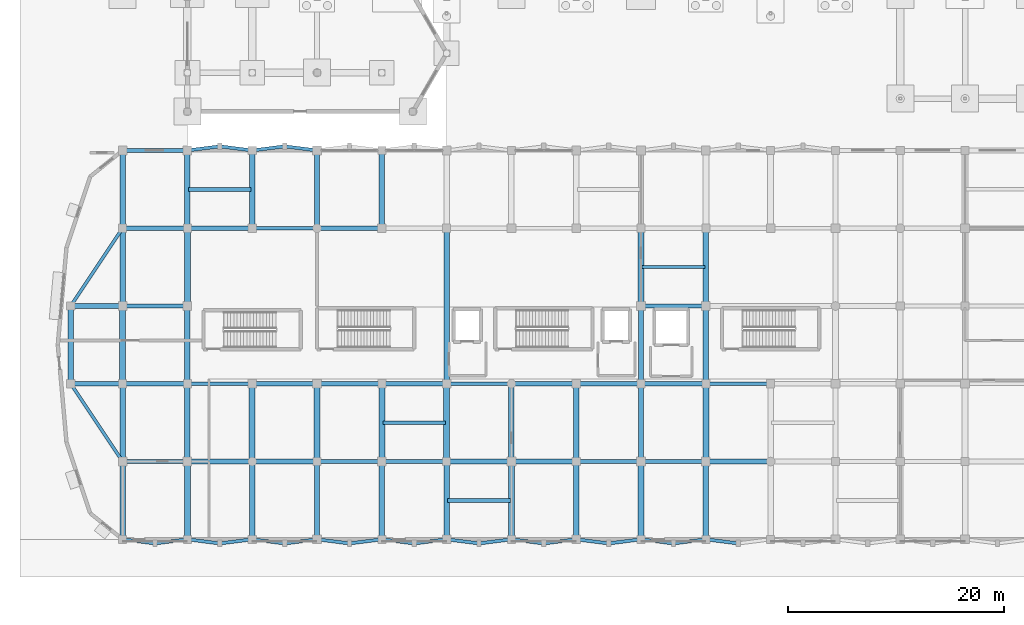
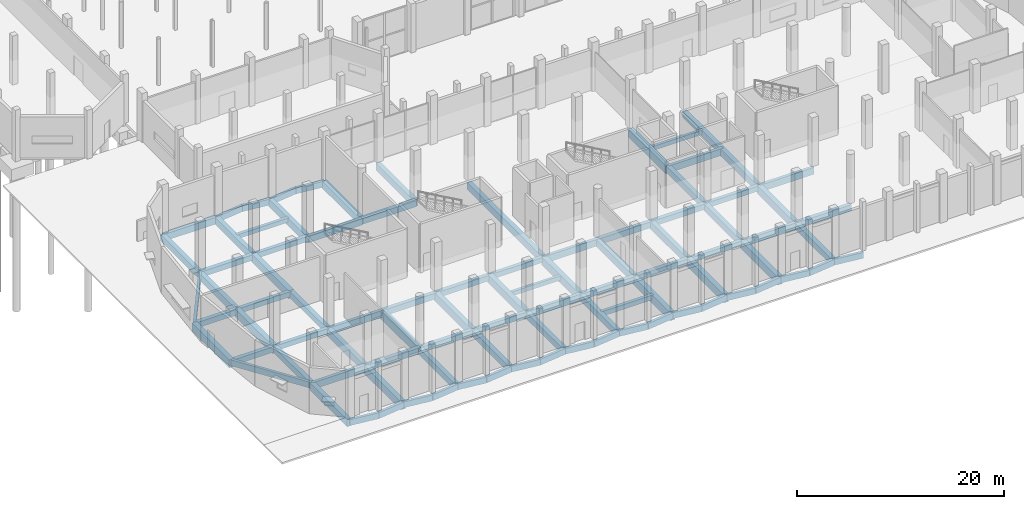
# One storey, part 36 of 103: 93 beams.
"""IFC4 building model written with IfcOpenShell, lengths in metres."""

from ifc_helpers import new_model, si_unit, direction, frame, origin, origin_2d, place, context, subcontext, project, spatial, rectangle, extrude, material, material_profile, profile_set, type_object, element, save


model = new_model("IFC4")

# Units and contexts
model_context = context("Model", 3, precision=1e-05, world=origin(), true_north=direction((0.0, 1.0)))
body_context = subcontext(model_context, "Body", "Model", "MODEL_VIEW")
ifc_project = project(units=[si_unit("LENGTHUNIT", "METRE"), si_unit("AREAUNIT", "SQUARE_METRE"), si_unit("VOLUMEUNIT", "CUBIC_METRE"), si_unit("PLANEANGLEUNIT", "RADIAN"), si_unit("MASSUNIT", "GRAM", prefix="KILO")], contexts=[model_context])

# Site, building, storey
site_placement = place(None, origin())
site = spatial("IfcSite", under=ifc_project, at=site_placement, CompositionType="ELEMENT")
building_placement = place(site_placement, origin())
building = spatial("IfcBuilding", under=site, at=building_placement, Name="Dunvalen Ferry Terminal", CompositionType="ELEMENT")
storey_placement = place(building_placement, origin())
storey = spatial("IfcBuildingStorey", under=building, at=storey_placement, Name="L00", CompositionType="ELEMENT", Elevation=0.0)

# Beams
ifc_material_1 = material(Name="Concrete C35/45", Category="concrete")
ifc_material_profile_1 = material_profile(ifc_material_1, rectangle(XDim=0.300048828125, YDim=0.5, at=origin_2d()), Name="Concrete C35/45")
ifc_profile_set_1 = profile_set([ifc_material_profile_1], Name="Concrete C35/45")
beam_type_1 = type_object("IfcBeamType", Name="STR-BM-RCB500", PredefinedType="JOIST", material=ifc_profile_set_1)
for number, where, z_axis, x_axis, name in (
    (1, (30.10009765625, 10.800048828125, -0.550048828125), (1.0, 0.0, 0.0), (0.0, 1.0, 0.0), "L00 V5P0 Secondary Joist 002"),
    (2, (54.10009765625, 25.199951171875, -0.550048828125), (1.0, 0.0, 0.0), (0.0, 1.0, 0.0), "L00 V5P0 Secondary Joist 005"),
):
    element("IfcBeam", number, at=place(storey_placement, frame(where, z_axis=z_axis, x_axis=x_axis)), inside=storey, type_object=beam_type_1, Name=name, PredefinedType="JOIST", context=body_context, shape_type="SweptSolid", body=[
        extrude(rectangle(XDim=0.300048828125, YDim=0.5, at=origin_2d()), origin(), (0.0, 0.0, 1.0), 5.7998046875),
    ])
ifc_material_profile_2 = material_profile(ifc_material_1, rectangle(XDim=0.35009765625, YDim=0.5, at=origin_2d()), Name="Concrete C35/45")
ifc_profile_set_2 = profile_set([ifc_material_profile_2], Name="Concrete C35/45")
beam_type_2 = type_object("IfcBeamType", Name="STR-BM-RCB500W", PredefinedType="JOIST", material=ifc_profile_set_2)
beam_1_placement = place(storey_placement, frame((12.10009765625, 32.39990234375, -0.550048828125), z_axis=(1.0, 0.0, 0.0), x_axis=(0.0, 1.0, 0.0)))
element("IfcBeam", 3, at=beam_1_placement, inside=storey, type_object=beam_type_2, Name="L00 V5P0 Secondary Joist 001", PredefinedType="JOIST", context=body_context, shape_type="SweptSolid", body=[
    extrude(rectangle(XDim=0.35009765625, YDim=0.5, at=origin_2d()), origin(), (0.0, 0.0, 1.0), 5.7998046875),
])
ifc_material_profile_3 = material_profile(ifc_material_1, rectangle(XDim=0.35009765625, YDim=0.550048828125, at=origin_2d()), Name="Concrete C35/45")
ifc_profile_set_3 = profile_set([ifc_material_profile_3], Name="Concrete C35/45")
beam_type_3 = type_object("IfcBeamType", Name="STR-BM-RCB550", PredefinedType="JOIST", material=ifc_profile_set_3)
beam_2_placement = place(storey_placement, frame((36.10009765625, 3.60009765625, -0.574951171875), z_axis=(1.0, 0.0, 0.0), x_axis=(0.0, 1.0, 0.0)))
element("IfcBeam", 4, at=beam_2_placement, inside=storey, type_object=beam_type_3, Name="L00 V5P0 Secondary Joist 003", PredefinedType="JOIST", context=body_context, shape_type="SweptSolid", body=[
    extrude(rectangle(XDim=0.35009765625, YDim=0.550048828125, at=origin_2d()), origin(), (0.0, 0.0, 1.0), 5.7998046875),
])
ifc_material_profile_4 = material_profile(ifc_material_1, rectangle(XDim=0.39990234375, YDim=0.60009765625, at=origin_2d()), Name="Concrete C35/45")
ifc_profile_set_4 = profile_set([ifc_material_profile_4], Name="Concrete C35/45")
beam_type_4 = type_object("IfcBeamType", Name="STR-BM-RCB600", PredefinedType="BEAM", material=ifc_profile_set_4)
for number, where, z_axis, x_axis, name in (
    (5, (24.0, 7.199951171875, -0.60009765625), (1.0, 0.0, 0.0), (0.0, 1.0, 0.0), "L00 V5P0 Primary Beam X-018"),
    (6, (48.0, 7.199951171875, -0.60009765625), (1.0, 0.0, 0.0), (0.0, 1.0, 0.0), "L00 V5P0 Primary Beam X-022"),
    (7, (6.0, 14.39990234375, -0.60009765625), (1.0, 0.0, 0.0), (0.0, 1.0, 0.0), "L00 V5P0 Primary Beam X-030"),
    (8, (30.0, 14.39990234375, -0.60009765625), (1.0, 0.0, 0.0), (0.0, 1.0, 0.0), "L00 V5P0 Primary Beam X-034"),
    (9, (54.0, 14.39990234375, -0.60009765625), (1.0, 0.0, 0.0), (0.0, 1.0, 0.0), "L00 V5P0 Primary Beam X-038"),
    (10, (6.0, 21.60009765625, -0.60009765625), (1.0, 0.0, 0.0), (0.0, 1.0, 0.0), "L00 V5P0 Primary Beam X-046"),
    (11, (12.0, 28.800048828125, -0.60009765625), (1.0, 0.0, 0.0), (0.0, 1.0, 0.0), "L00 V5P0 Primary Beam X-054"),
):
    element("IfcBeam", number, at=place(storey_placement, frame(where, z_axis=z_axis, x_axis=x_axis)), inside=storey, type_object=beam_type_4, Name=name, PredefinedType="BEAM", context=body_context, shape_type="SweptSolid", body=[
        extrude(rectangle(XDim=0.39990234375, YDim=0.60009765625, at=origin_2d()), origin(), (0.0, 0.0, 1.0), 6.0),
    ])
ifc_material_2 = material(Name="Concrete C40/50", Category="concrete")
ifc_material_profile_5 = material_profile(ifc_material_2, rectangle(XDim=0.449951171875, YDim=0.64990234375, at=origin_2d()), Name="Concrete C40/50")
ifc_profile_set_5 = profile_set([ifc_material_profile_5], Name="Concrete C40/50")
beam_type_5 = type_object("IfcBeamType", Name="STR-BM-RCB650W", PredefinedType="BEAM", material=ifc_profile_set_5)
for number, where, z_axis, x_axis, name in (
    (12, (18.0, 7.199951171875, -0.625), (1.0, 0.0, 0.0), (0.0, 1.0, 0.0), "L00 V5P0 Primary Beam X-017"),
    (13, (42.0, 7.199951171875, -0.625), (1.0, 0.0, 0.0), (0.0, 1.0, 0.0), "L00 V5P0 Primary Beam X-021"),
):
    element("IfcBeam", number, at=place(storey_placement, frame(where, z_axis=z_axis, x_axis=x_axis)), inside=storey, type_object=beam_type_5, Name=name, PredefinedType="BEAM", context=body_context, shape_type="SweptSolid", body=[
        extrude(rectangle(XDim=0.449951171875, YDim=0.64990234375, at=origin_2d()), origin(), (0.0, 0.0, 1.0), 6.0),
    ])
beam_3_placement = place(storey_placement, frame((1.199951171875, 14.39990234375, -0.625), z_axis=(1.0, 0.0, 0.0), x_axis=(0.0, 1.0, 0.0)))
element("IfcBeam", 14, at=beam_3_placement, inside=storey, type_object=beam_type_5, Name="L00 V5P0 Primary Beam X-029", PredefinedType="BEAM", context=body_context, shape_type="SweptSolid", body=[
    extrude(rectangle(XDim=0.449951171875, YDim=0.64990234375, at=origin_2d()), origin(), (0.0, 0.0, 1.0), 4.800048828125),
])
for number, where, z_axis, x_axis, name in (
    (15, (24.0, 14.39990234375, -0.625), (1.0, 0.0, 0.0), (0.0, 1.0, 0.0), "L00 V5P0 Primary Beam X-033"),
    (16, (48.0, 14.39990234375, -0.625), (1.0, 0.0, 0.0), (0.0, 1.0, 0.0), "L00 V5P0 Primary Beam X-037"),
):
    element("IfcBeam", number, at=place(storey_placement, frame(where, z_axis=z_axis, x_axis=x_axis)), inside=storey, type_object=beam_type_5, Name=name, PredefinedType="BEAM", context=body_context, shape_type="SweptSolid", body=[
        extrude(rectangle(XDim=0.449951171875, YDim=0.64990234375, at=origin_2d()), origin(), (0.0, 0.0, 1.0), 6.0),
    ])
beam_4_placement = place(storey_placement, frame((1.199951171875, 21.60009765625, -0.625), z_axis=(1.0, 0.0, 0.0), x_axis=(0.0, 1.0, 0.0)))
element("IfcBeam", 17, at=beam_4_placement, inside=storey, type_object=beam_type_5, Name="L00 V5P0 Primary Beam X-045", PredefinedType="BEAM", context=body_context, shape_type="SweptSolid", body=[
    extrude(rectangle(XDim=0.449951171875, YDim=0.64990234375, at=origin_2d()), origin(), (0.0, 0.0, 1.0), 4.800048828125),
])
beam_5_placement = place(storey_placement, frame((6.0, 28.800048828125, -0.625), z_axis=(1.0, 0.0, 0.0), x_axis=(0.0, 1.0, 0.0)))
element("IfcBeam", 18, at=beam_5_placement, inside=storey, type_object=beam_type_5, Name="L00 V5P0 Primary Beam X-053", PredefinedType="BEAM", context=body_context, shape_type="SweptSolid", body=[
    extrude(rectangle(XDim=0.449951171875, YDim=0.64990234375, at=origin_2d()), origin(), (0.0, 0.0, 1.0), 6.0),
])
ifc_material_profile_6 = material_profile(ifc_material_2, rectangle(XDim=0.449951171875, YDim=0.699951171875, at=origin_2d()), Name="Concrete C40/50")
ifc_profile_set_6 = profile_set([ifc_material_profile_6], Name="Concrete C40/50")
beam_type_6 = type_object("IfcBeamType", Name="STR-BM-RCB700", PredefinedType="BEAM", material=ifc_profile_set_6)
for number, where, z_axis, x_axis, name in (
    (19, (12.0, 7.199951171875, -0.64990234375), (1.0, 0.0, 0.0), (0.0, 1.0, 0.0), "L00 V5P0 Primary Beam X-016"),
    (20, (36.0, 7.199951171875, -0.64990234375), (1.0, 0.0, 0.0), (0.0, 1.0, 0.0), "L00 V5P0 Primary Beam X-020"),
    (21, (60.0, 7.199951171875, -0.64990234375), (1.0, 0.0, 0.0), (0.0, 1.0, 0.0), "L00 V5P0 Primary Beam X-024"),
    (22, (18.0, 14.39990234375, -0.64990234375), (1.0, 0.0, 0.0), (0.0, 1.0, 0.0), "L00 V5P0 Primary Beam X-032"),
    (23, (42.0, 14.39990234375, -0.64990234375), (1.0, 0.0, 0.0), (0.0, 1.0, 0.0), "L00 V5P0 Primary Beam X-036"),
    (24, (24.0, 28.800048828125, -0.64990234375), (1.0, 0.0, 0.0), (0.0, 1.0, 0.0), "L00 V5P0 Primary Beam X-056"),
):
    element("IfcBeam", number, at=place(storey_placement, frame(where, z_axis=z_axis, x_axis=x_axis)), inside=storey, type_object=beam_type_6, Name=name, PredefinedType="BEAM", context=body_context, shape_type="SweptSolid", body=[
        extrude(rectangle(XDim=0.449951171875, YDim=0.699951171875, at=origin_2d()), origin(), (0.0, 0.0, 1.0), 6.0),
    ])
ifc_material_profile_7 = material_profile(ifc_material_2, rectangle(XDim=0.5, YDim=0.75, at=origin_2d()), Name="Concrete C40/50")
ifc_profile_set_7 = profile_set([ifc_material_profile_7], Name="Concrete C40/50")
beam_type_7 = type_object("IfcBeamType", Name="STR-BM-RCB750", PredefinedType="BEAM", material=ifc_profile_set_7)
for number, where, z_axis, x_axis, name in (
    (25, (6.0, 7.199951171875, -0.675048828125), (0.0, 1.0, 0.0), (-1.0, 0.0, 0.0), "L00 V5P0 Primary Girder Y-083"),
    (26, (6.0, 28.800048828125, -0.675048828125), (0.0, 1.0, 0.0), (-1.0, 0.0, 0.0), "L00 V5P0 Primary Girder Y-086"),
):
    element("IfcBeam", number, at=place(storey_placement, frame(where, z_axis=z_axis, x_axis=x_axis)), inside=storey, type_object=beam_type_7, Name=name, PredefinedType="BEAM", context=body_context, shape_type="SweptSolid", body=[
        extrude(rectangle(XDim=0.5, YDim=0.75, at=origin_2d()), origin(), (0.0, 0.0, 1.0), 7.199951171875),
    ])
beam_6_placement = place(storey_placement, frame((12.0, 14.39990234375, -0.675048828125), z_axis=(0.0, 1.0, 0.0), x_axis=(-1.0, 0.0, 0.0)))
element("IfcBeam", 27, at=beam_6_placement, inside=storey, type_object=beam_type_7, Name="L00 V5P0 Primary Girder Y-089", PredefinedType="BEAM", context=body_context, shape_type="SweptSolid", body=[
    extrude(rectangle(XDim=0.5, YDim=0.75, at=origin_2d()), origin(), (0.0, 0.0, 1.0), 7.2001953125),
])
for number, where, z_axis, x_axis, name in (
    (28, (18.0, 0.0, -0.675048828125), (0.0, 1.0, 0.0), (-1.0, 0.0, 0.0), "L00 V5P0 Primary Girder Y-092"),
    (29, (24.0, 0.0, -0.675048828125), (0.0, 1.0, 0.0), (-1.0, 0.0, 0.0), "L00 V5P0 Primary Girder Y-095"),
    (30, (30.0, 0.0, -0.675048828125), (0.0, 1.0, 0.0), (-1.0, 0.0, 0.0), "L00 V5P0 Primary Girder Y-098"),
    (31, (36.0, 0.0, -0.675048828125), (0.0, 1.0, 0.0), (-1.0, 0.0, 0.0), "L00 V5P0 Primary Girder Y-101"),
):
    element("IfcBeam", number, at=place(storey_placement, frame(where, z_axis=z_axis, x_axis=x_axis)), inside=storey, type_object=beam_type_7, Name=name, PredefinedType="BEAM", context=body_context, shape_type="SweptSolid", body=[
        extrude(rectangle(XDim=0.5, YDim=0.75, at=origin_2d()), origin(), (0.0, 0.0, 1.0), 7.199951171875),
    ])
beam_7_placement = place(storey_placement, frame((54.0, 14.39990234375, -0.675048828125), z_axis=(0.0, 1.0, 0.0), x_axis=(-1.0, 0.0, 0.0)))
element("IfcBeam", 32, at=beam_7_placement, inside=storey, type_object=beam_type_7, Name="L00 V5P0 Primary Girder Y-113", PredefinedType="BEAM", context=body_context, shape_type="SweptSolid", body=[
    extrude(rectangle(XDim=0.5, YDim=0.75, at=origin_2d()), origin(), (0.0, 0.0, 1.0), 7.2001953125),
])
for number, where, z_axis, x_axis, name in (
    (33, (60.0, 0.0, -0.675048828125), (0.0, 1.0, 0.0), (-1.0, 0.0, 0.0), "L00 V5P0 Primary Girder Y-116"),
    (34, (60.0, 21.60009765625, -0.675048828125), (0.0, 1.0, 0.0), (-1.0, 0.0, 0.0), "L00 V5P0 Primary Girder Y-119"),
):
    element("IfcBeam", number, at=place(storey_placement, frame(where, z_axis=z_axis, x_axis=x_axis)), inside=storey, type_object=beam_type_7, Name=name, PredefinedType="BEAM", context=body_context, shape_type="SweptSolid", body=[
        extrude(rectangle(XDim=0.5, YDim=0.75, at=origin_2d()), origin(), (0.0, 0.0, 1.0), 7.199951171875),
    ])
ifc_material_profile_8 = material_profile(ifc_material_2, rectangle(XDim=0.5, YDim=0.85009765625, at=origin_2d()), Name="Concrete C40/50")
ifc_profile_set_8 = profile_set([ifc_material_profile_8], Name="Concrete C40/50")
beam_type_8 = type_object("IfcBeamType", Name="STR-BM-RCG850", PredefinedType="BEAM", material=ifc_profile_set_8)
for number, where, z_axis, x_axis, name in (
    (35, (6.0, 0.0, -0.72509765625), (0.0, 1.0, 0.0), (-1.0, 0.0, 0.0), "L00 V5P0 Primary Girder Y-082"),
    (36, (6.0, 21.60009765625, -0.72509765625), (0.0, 1.0, 0.0), (-1.0, 0.0, 0.0), "L00 V5P0 Primary Girder Y-085"),
    (37, (12.0, 7.199951171875, -0.72509765625), (0.0, 1.0, 0.0), (-1.0, 0.0, 0.0), "L00 V5P0 Primary Girder Y-088"),
    (38, (12.0, 28.800048828125, -0.72509765625), (0.0, 1.0, 0.0), (-1.0, 0.0, 0.0), "L00 V5P0 Primary Girder Y-091"),
    (39, (18.0, 28.800048828125, -0.72509765625), (0.0, 1.0, 0.0), (-1.0, 0.0, 0.0), "L00 V5P0 Primary Girder Y-094"),
    (40, (24.0, 28.800048828125, -0.72509765625), (0.0, 1.0, 0.0), (-1.0, 0.0, 0.0), "L00 V5P0 Primary Girder Y-097"),
    (41, (30.0, 28.800048828125, -0.72509765625), (0.0, 1.0, 0.0), (-1.0, 0.0, 0.0), "L00 V5P0 Primary Girder Y-100"),
):
    element("IfcBeam", number, at=place(storey_placement, frame(where, z_axis=z_axis, x_axis=x_axis)), inside=storey, type_object=beam_type_8, Name=name, PredefinedType="BEAM", context=body_context, shape_type="SweptSolid", body=[
        extrude(rectangle(XDim=0.5, YDim=0.85009765625, at=origin_2d()), origin(), (0.0, 0.0, 1.0), 7.199951171875),
    ])
beam_8_placement = place(storey_placement, frame((36.0, 14.39990234375, -0.72509765625), z_axis=(0.0, 1.0, 0.0), x_axis=(-1.0, 0.0, 0.0)))
element("IfcBeam", 42, at=beam_8_placement, inside=storey, type_object=beam_type_8, Name="L00 V5P0 Primary Girder Y-103", PredefinedType="BEAM", context=body_context, shape_type="SweptSolid", body=[
    extrude(rectangle(XDim=0.5, YDim=0.85009765625, at=origin_2d()), origin(), (0.0, 0.0, 1.0), 14.400146484375),
])
for number, where, z_axis, x_axis, name in (
    (43, (42.0, 7.199951171875, -0.72509765625), (0.0, 1.0, 0.0), (-1.0, 0.0, 0.0), "L00 V5P0 Primary Girder Y-106"),
    (44, (48.0, 7.199951171875, -0.72509765625), (0.0, 1.0, 0.0), (-1.0, 0.0, 0.0), "L00 V5P0 Primary Girder Y-109"),
    (45, (54.0, 7.199951171875, -0.72509765625), (0.0, 1.0, 0.0), (-1.0, 0.0, 0.0), "L00 V5P0 Primary Girder Y-112"),
):
    element("IfcBeam", number, at=place(storey_placement, frame(where, z_axis=z_axis, x_axis=x_axis)), inside=storey, type_object=beam_type_8, Name=name, PredefinedType="BEAM", context=body_context, shape_type="SweptSolid", body=[
        extrude(rectangle(XDim=0.5, YDim=0.85009765625, at=origin_2d()), origin(), (0.0, 0.0, 1.0), 7.199951171875),
    ])
beam_9_placement = place(storey_placement, frame((60.0, 14.39990234375, -0.72509765625), z_axis=(0.0, 1.0, 0.0), x_axis=(-1.0, 0.0, 0.0)))
element("IfcBeam", 46, at=beam_9_placement, inside=storey, type_object=beam_type_8, Name="L00 V5P0 Primary Girder Y-118", PredefinedType="BEAM", context=body_context, shape_type="SweptSolid", body=[
    extrude(rectangle(XDim=0.5, YDim=0.85009765625, at=origin_2d()), origin(), (0.0, 0.0, 1.0), 7.2001953125),
])
ifc_material_profile_9 = material_profile(ifc_material_2, rectangle(XDim=0.550048828125, YDim=0.949951171875, at=origin_2d()), Name="Concrete C40/50")
ifc_profile_set_9 = profile_set([ifc_material_profile_9], Name="Concrete C40/50")
beam_type_9 = type_object("IfcBeamType", Name="STR-BM-RCG950", PredefinedType="BEAM", material=ifc_profile_set_9)
for number, where, z_axis, x_axis, name in (
    (47, (1.199951171875, 14.39990234375, -0.77490234375), (0.0, 1.0, 0.0), (-1.0, 0.0, 0.0), "L00 V5P0 Primary Girder Y-081"),
    (48, (6.0, 14.39990234375, -0.77490234375), (0.0, 1.0, 0.0), (-1.0, 0.0, 0.0), "L00 V5P0 Primary Girder Y-084"),
):
    element("IfcBeam", number, at=place(storey_placement, frame(where, z_axis=z_axis, x_axis=x_axis)), inside=storey, type_object=beam_type_9, Name=name, PredefinedType="BEAM", context=body_context, shape_type="SweptSolid", body=[
        extrude(rectangle(XDim=0.550048828125, YDim=0.949951171875, at=origin_2d()), origin(), (0.0, 0.0, 1.0), 7.2001953125),
    ])
for number, where, z_axis, x_axis, name in (
    (49, (12.0, 0.0, -0.77490234375), (0.0, 1.0, 0.0), (-1.0, 0.0, 0.0), "L00 V5P0 Primary Girder Y-087"),
    (50, (12.0, 21.60009765625, -0.77490234375), (0.0, 1.0, 0.0), (-1.0, 0.0, 0.0), "L00 V5P0 Primary Girder Y-090"),
    (51, (18.0, 7.199951171875, -0.77490234375), (0.0, 1.0, 0.0), (-1.0, 0.0, 0.0), "L00 V5P0 Primary Girder Y-093"),
    (52, (24.0, 7.199951171875, -0.77490234375), (0.0, 1.0, 0.0), (-1.0, 0.0, 0.0), "L00 V5P0 Primary Girder Y-096"),
    (53, (30.0, 7.199951171875, -0.77490234375), (0.0, 1.0, 0.0), (-1.0, 0.0, 0.0), "L00 V5P0 Primary Girder Y-099"),
    (54, (36.0, 7.199951171875, -0.77490234375), (0.0, 1.0, 0.0), (-1.0, 0.0, 0.0), "L00 V5P0 Primary Girder Y-102"),
    (55, (42.0, 0.0, -0.77490234375), (0.0, 1.0, 0.0), (-1.0, 0.0, 0.0), "L00 V5P0 Primary Girder Y-105"),
    (56, (48.0, 0.0, -0.77490234375), (0.0, 1.0, 0.0), (-1.0, 0.0, 0.0), "L00 V5P0 Primary Girder Y-108"),
    (57, (54.0, 0.0, -0.77490234375), (0.0, 1.0, 0.0), (-1.0, 0.0, 0.0), "L00 V5P0 Primary Girder Y-111"),
    (58, (54.0, 21.60009765625, -0.77490234375), (0.0, 1.0, 0.0), (-1.0, 0.0, 0.0), "L00 V5P0 Primary Girder Y-114"),
    (59, (60.0, 7.199951171875, -0.77490234375), (0.0, 1.0, 0.0), (-1.0, 0.0, 0.0), "L00 V5P0 Primary Girder Y-117"),
):
    element("IfcBeam", number, at=place(storey_placement, frame(where, z_axis=z_axis, x_axis=x_axis)), inside=storey, type_object=beam_type_9, Name=name, PredefinedType="BEAM", context=body_context, shape_type="SweptSolid", body=[
        extrude(rectangle(XDim=0.550048828125, YDim=0.949951171875, at=origin_2d()), origin(), (0.0, 0.0, 1.0), 7.199951171875),
    ])
ifc_material_profile_10 = material_profile(ifc_material_2, rectangle(XDim=0.300048828125, YDim=0.699951171875, at=origin_2d()), Name="Concrete C40/50")
ifc_profile_set_10 = profile_set([ifc_material_profile_10], Name="Concrete C40/50")
beam_type_10 = type_object("IfcBeamType", Name="STR-BM-RCSP700", PredefinedType="SPANDREL", material=ifc_profile_set_10)
for number, where, z_axis, x_axis, name in (
    (60, (6.0, 0.0, -0.64990234375), (0.992077869489, -0.12562444376, 0.0), (0.12562444376, 0.992077869489, 0.0), "L00 Forecourt Pilaster Spandrel Tie 01.1"),
    (61, (9.0, -0.3798828125, -0.64990234375), (0.992077869489, 0.12562444376, 0.0), (-0.12562444376, 0.992077869489, 0.0), "L00 Forecourt Pilaster Spandrel Tie 01.2"),
    (62, (12.0, 0.0, -0.64990234375), (0.992077869489, -0.12562444376, 0.0), (0.12562444376, 0.992077869489, 0.0), "L00 Forecourt Pilaster Spandrel Tie 02.1"),
    (63, (15.0, -0.3798828125, -0.64990234375), (0.992077869489, 0.12562444376, 0.0), (-0.12562444376, 0.992077869489, 0.0), "L00 Forecourt Pilaster Spandrel Tie 02.2"),
    (64, (18.0, 0.0, -0.64990234375), (0.992077869489, -0.12562444376, 0.0), (0.12562444376, 0.992077869489, 0.0), "L00 Forecourt Pilaster Spandrel Tie 03.1"),
    (65, (21.0, -0.3798828125, -0.64990234375), (0.992077869489, 0.12562444376, 0.0), (-0.12562444376, 0.992077869489, 0.0), "L00 Forecourt Pilaster Spandrel Tie 03.2"),
    (66, (24.0, 0.0, -0.64990234375), (0.992077869489, -0.12562444376, 0.0), (0.12562444376, 0.992077869489, 0.0), "L00 Forecourt Pilaster Spandrel Tie 04.1"),
    (67, (27.0, -0.3798828125, -0.64990234375), (0.992077869489, 0.12562444376, 0.0), (-0.12562444376, 0.992077869489, 0.0), "L00 Forecourt Pilaster Spandrel Tie 04.2"),
    (68, (30.0, 0.0, -0.64990234375), (0.992077869489, -0.12562444376, 0.0), (0.12562444376, 0.992077869489, 0.0), "L00 Forecourt Pilaster Spandrel Tie 05.1"),
    (69, (33.0, -0.3798828125, -0.64990234375), (0.992077869489, 0.12562444376, 0.0), (-0.12562444376, 0.992077869489, 0.0), "L00 Forecourt Pilaster Spandrel Tie 05.2"),
    (70, (36.0, 0.0, -0.64990234375), (0.992077869489, -0.12562444376, 0.0), (0.12562444376, 0.992077869489, 0.0), "L00 Forecourt Pilaster Spandrel Tie 06.1"),
    (71, (39.0, -0.3798828125, -0.64990234375), (0.992077869489, 0.12562444376, 0.0), (-0.12562444376, 0.992077869489, 0.0), "L00 Forecourt Pilaster Spandrel Tie 06.2"),
    (72, (42.0, 0.0, -0.64990234375), (0.992077869489, -0.12562444376, 0.0), (0.12562444376, 0.992077869489, 0.0), "L00 Forecourt Pilaster Spandrel Tie 07.1"),
    (73, (45.0, -0.3798828125, -0.64990234375), (0.992077869489, 0.12562444376, 0.0), (-0.12562444376, 0.992077869489, 0.0), "L00 Forecourt Pilaster Spandrel Tie 07.2"),
    (74, (48.0, 0.0, -0.64990234375), (0.992077869489, -0.12562444376, 0.0), (0.12562444376, 0.992077869489, 0.0), "L00 Forecourt Pilaster Spandrel Tie 08.1"),
    (75, (51.0, -0.3798828125, -0.64990234375), (0.992077869489, 0.12562444376, 0.0), (-0.12562444376, 0.992077869489, 0.0), "L00 Forecourt Pilaster Spandrel Tie 08.2"),
    (76, (54.0, 0.0, -0.64990234375), (0.992077869489, -0.12562444376, 0.0), (0.12562444376, 0.992077869489, 0.0), "L00 Forecourt Pilaster Spandrel Tie 09.1"),
    (77, (57.0, -0.3798828125, -0.64990234375), (0.992077869489, 0.12562444376, 0.0), (-0.12562444376, 0.992077869489, 0.0), "L00 Forecourt Pilaster Spandrel Tie 09.2"),
    (78, (60.0, 0.0, -0.64990234375), (0.992077869489, -0.12562444376, 0.0), (0.12562444376, 0.992077869489, 0.0), "L00 Forecourt Pilaster Spandrel Tie 10.1"),
    (79, (12.0, 36.0, -0.64990234375), (0.992077869489, 0.12562444376, 0.0), (-0.12562444376, 0.992077869489, 0.0), "L00 Passage Pilaster Spandrel Tie 01.1"),
    (80, (15.0, 36.3798828125, -0.64990234375), (0.992077869489, -0.12562444376, 0.0), (0.12562444376, 0.992077869489, 0.0), "L00 Passage Pilaster Spandrel Tie 01.2"),
    (81, (18.0, 36.0, -0.64990234375), (0.992077869489, 0.12562444376, 0.0), (-0.12562444376, 0.992077869489, 0.0), "L00 Passage Pilaster Spandrel Tie 02.1"),
    (82, (21.0, 36.3798828125, -0.64990234375), (0.992077869489, -0.12562444376, 0.0), (0.12562444376, 0.992077869489, 0.0), "L00 Passage Pilaster Spandrel Tie 02.2"),
):
    element("IfcBeam", number, at=place(storey_placement, frame(where, z_axis=z_axis, x_axis=x_axis)), inside=storey, type_object=beam_type_10, Name=name, PredefinedType="SPANDREL", context=body_context, shape_type="SweptSolid", body=[
        extrude(rectangle(XDim=0.300048828125, YDim=0.699951171875, at=origin_2d()), origin(), (0.0, 0.0, 1.0), 3.02392578125),
    ])
for number, where, z_axis, x_axis, name in (
    (83, (6.0, 7.199951171875, -0.64990234375), (-0.554706707029, 0.832045953765, 0.0), (-0.832045953765, -0.554706707029, 0.0), "L00 Prow Spandrel Beam WP1"),
    (84, (1.199951171875, 21.60009765625, -0.64990234375), (0.554706707029, 0.832045953765, 0.0), (-0.832045953765, 0.554706707029, 0.0), "L00 Prow Spandrel Beam WP3"),
):
    element("IfcBeam", number, at=place(storey_placement, frame(where, z_axis=z_axis, x_axis=x_axis)), inside=storey, type_object=beam_type_10, Name=name, PredefinedType="SPANDREL", context=body_context, shape_type="SweptSolid", body=[
        extrude(rectangle(XDim=0.300048828125, YDim=0.699951171875, at=origin_2d()), origin(), (0.0, 0.0, 1.0), 8.6533203125),
    ])
ifc_material_profile_11 = material_profile(ifc_material_2, rectangle(XDim=0.35009765625, YDim=0.800048828125, at=origin_2d()), Name="Concrete C40/50")
ifc_profile_set_11 = profile_set([ifc_material_profile_11], Name="Concrete C40/50")
beam_type_11 = type_object("IfcBeamType", Name="STR-BM-RCSP800", PredefinedType="SPANDREL", material=ifc_profile_set_11)
for number, where, z_axis, x_axis, name in (
    (85, (6.0, 7.199951171875, -0.699951171875), (1.0, 0.0, 0.0), (0.0, 1.0, 0.0), "L00 V5P0 Primary Beam X-015"),
    (86, (30.0, 7.199951171875, -0.699951171875), (1.0, 0.0, 0.0), (0.0, 1.0, 0.0), "L00 V5P0 Primary Beam X-019"),
    (87, (54.0, 7.199951171875, -0.699951171875), (1.0, 0.0, 0.0), (0.0, 1.0, 0.0), "L00 V5P0 Primary Beam X-023"),
    (88, (12.0, 14.39990234375, -0.699951171875), (1.0, 0.0, 0.0), (0.0, 1.0, 0.0), "L00 V5P0 Primary Beam X-031"),
    (89, (36.0, 14.39990234375, -0.699951171875), (1.0, 0.0, 0.0), (0.0, 1.0, 0.0), "L00 V5P0 Primary Beam X-035"),
    (90, (60.0, 14.39990234375, -0.699951171875), (1.0, 0.0, 0.0), (0.0, 1.0, 0.0), "L00 V5P0 Primary Beam X-039"),
    (91, (54.0, 21.60009765625, -0.699951171875), (1.0, 0.0, 0.0), (0.0, 1.0, 0.0), "L00 V5P0 Primary Beam X-047"),
    (92, (18.0, 28.800048828125, -0.699951171875), (1.0, 0.0, 0.0), (0.0, 1.0, 0.0), "L00 V5P0 Primary Beam X-055"),
    (93, (6.0, 36.0, -0.699951171875), (1.0, 0.0, 0.0), (0.0, 1.0, 0.0), "L00 V5P0 Primary Beam X-067"),
):
    element("IfcBeam", number, at=place(storey_placement, frame(where, z_axis=z_axis, x_axis=x_axis)), inside=storey, type_object=beam_type_11, Name=name, PredefinedType="SPANDREL", context=body_context, shape_type="SweptSolid", body=[
        extrude(rectangle(XDim=0.35009765625, YDim=0.800048828125, at=origin_2d()), origin(), (0.0, 0.0, 1.0), 6.0),
    ])

save(model, "model.ifc")
